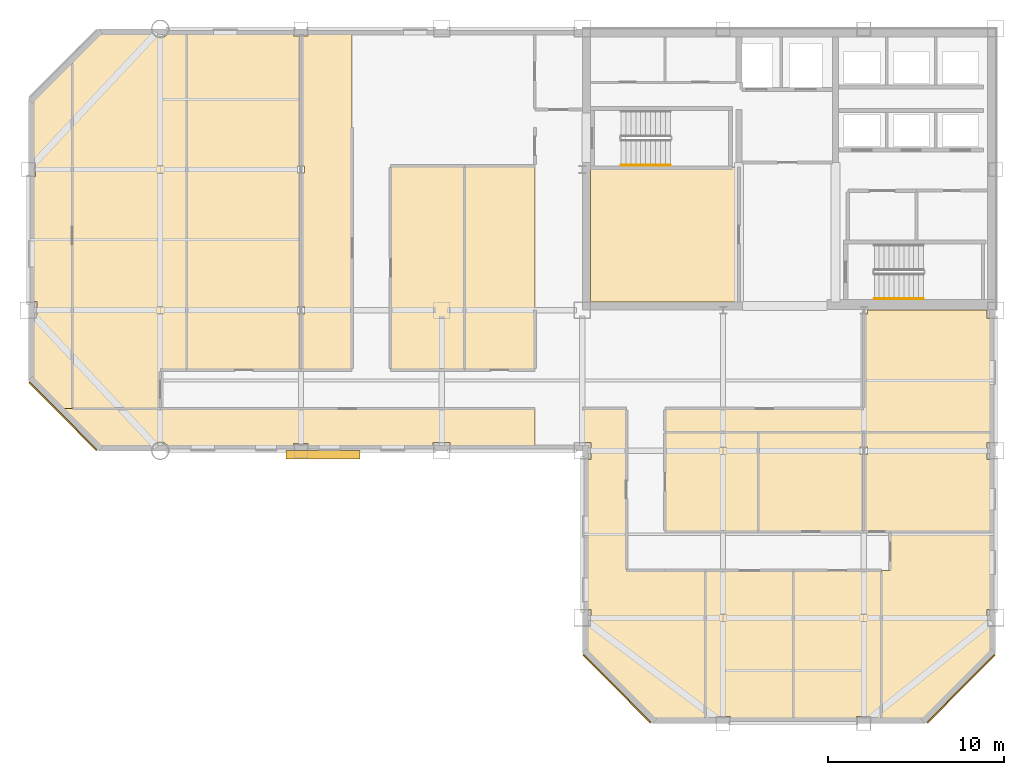
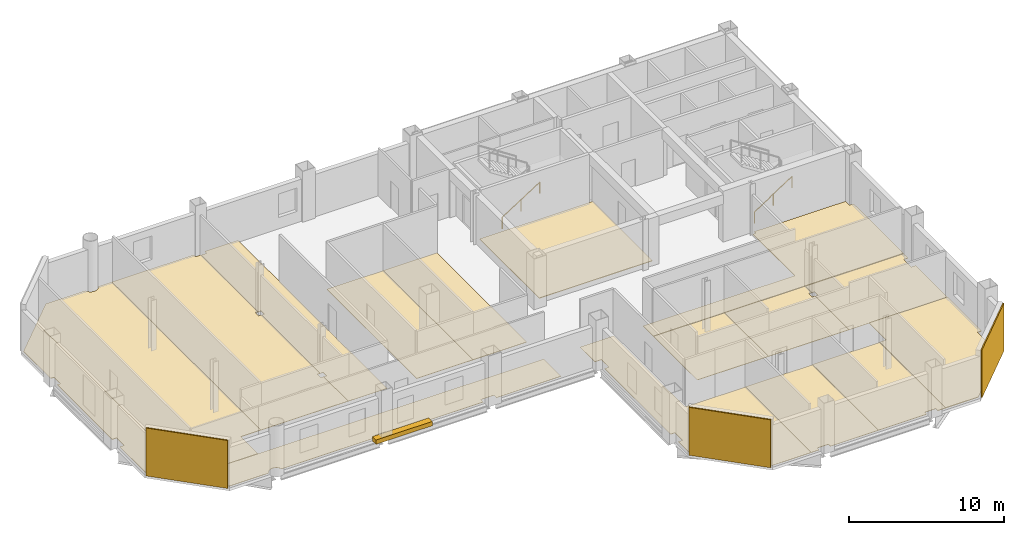
# One storey, part 8 of 11: 19 coverings, 2 railings, 1 shading device.
"""IFC4 building model written with IfcOpenShell, lengths in metres."""

from ifc_helpers import new_model, si_unit, direction, frame, origin, origin_2d, place, context, subcontext, project, spatial, polyline, rectangle, circle, outline, extrude, material, layer, layer_set, type_object, element, save


model = new_model("IFC4")

# Units and contexts
model_context = context("Model", 3, precision=1e-05, world=origin(), true_north=direction((0.0, 1.0)))
body_context = subcontext(model_context, "Body", "Model", "MODEL_VIEW")
ifc_project = project(units=[si_unit("LENGTHUNIT", "METRE"), si_unit("AREAUNIT", "SQUARE_METRE"), si_unit("VOLUMEUNIT", "CUBIC_METRE"), si_unit("PLANEANGLEUNIT", "RADIAN"), si_unit("MASSUNIT", "GRAM", prefix="KILO")], contexts=[model_context])

# Site, building, storey
site_placement = place(None, origin())
site = spatial("IfcSite", under=ifc_project, at=site_placement, CompositionType="ELEMENT")
building_placement = place(site_placement, origin())
building = spatial("IfcBuilding", under=site, at=building_placement, Name="Qianrong Seaharbour Tower", CompositionType="ELEMENT")
storey_placement = place(building_placement, frame((0.0, 0.0, 265.800048828125)))
storey = spatial("IfcBuildingStorey", under=building, at=storey_placement, Name="L64", CompositionType="ELEMENT", Elevation=265.800048828125)

# Coverings
ifc_material_1 = material(Name="Unitised red brick cladding on Precast concrete C45/55", Category="masonry")
ifc_layer_1 = layer(ifc_material_1, 0.080078125)
ifc_layer_set_1 = layer_set([ifc_layer_1], Name="Unitised red brick cladding on Precast concrete C45/55")
covering_type_1 = type_object("IfcCoveringType", Name="COV-CLAD-RED-BRICK-80", PredefinedType="CLADDING", material=ifc_layer_set_1)
for number, where, z_axis, x_axis, name in (
    (1, (10.9716796875, 29.9716796875, 0.0), (0.0, 0.0, 1.0), (-0.707106781187, 0.707106781187, 0.0), "L64 Chamfer Corner Brick Cladding 02"),
    (2, (62.0283203125, 14.4716796875, 0.0), (0.0, 0.0, 1.0), (-0.707106781187, -0.707106781187, 0.0), "L64 Chamfer Corner Brick Cladding 07"),
    (3, (42.4716796875, 14.4716796875, 0.0), (0.0, 0.0, 1.0), (-0.707106781187, 0.707106781187, 0.0), "L64 Chamfer Corner Brick Cladding 09"),
):
    element("IfcCovering", number, at=place(storey_placement, frame(where, z_axis=z_axis, x_axis=x_axis)), inside=storey, type_object=covering_type_1, Name=name, PredefinedType="CLADDING", context=body_context, shape_type="SweptSolid", body=[
        extrude(rectangle(XDim=5.456787109375, YDim=0.080078125, at=origin_2d()), origin(), (0.0, 0.0, 1.0), 3.77490234375),
    ])
ifc_material_2 = material(Name="Acoustic modular carpet tile flooring")
ifc_layer_2 = layer(ifc_material_2, 0.02001953125)
ifc_layer_set_2 = layer_set([ifc_layer_2], Name="Acoustic modular carpet tile flooring")
covering_type_2 = type_object("IfcCoveringType", Name="COV-FLOOR-CARPET-20", PredefinedType="FLOORING", material=ifc_layer_set_2)
covering_1_placement = place(storey_placement, origin())
element("IfcCovering", 4, at=covering_1_placement, inside=storey, type_object=covering_type_2, Name="L64 Trade Meeting Room 3 Finish Flooring", PredefinedType="FLOORING", context=body_context, shape_type="SweptSolid", body=[
    extrude(outline(polyline([(63.8349609375, 29.070068359375), (63.8349609375, 28.485107421875), (63.514892578125, 28.485107421875), (63.514892578125, 27.514892578125), (63.8349609375, 27.514892578125), (63.8349609375, 23.39990234375), (56.5, 23.39990234375), (56.5, 27.7900390625), (56.7099609375, 27.7900390625), (56.7099609375, 28.2099609375), (56.5, 28.2099609375), (56.5, 29.070068359375), (63.8349609375, 29.070068359375)])), origin(), (0.0, 0.0, 1.0), 0.02001953125),
])
covering_2_placement = place(storey_placement, origin())
element("IfcCovering", 5, at=covering_2_placement, inside=storey, type_object=covering_type_2, Name="L64 Contract Meeting Room 4 Finish Flooring", PredefinedType="FLOORING", context=body_context, shape_type="SweptSolid", body=[
    extrude(outline(polyline([(27.39990234375, 51.8349609375), (27.39990234375, 32.60009765625), (24.5, 32.60009765625), (24.5, 35.7900390625), (24.7099609375, 35.7900390625), (24.7099609375, 36.2099609375), (24.5, 36.2099609375), (24.5, 43.7900390625), (24.7099609375, 43.7900390625), (24.7099609375, 44.2099609375), (24.5, 44.2099609375), (24.5, 51.590087890625), (24.909912109375, 51.590087890625), (24.909912109375, 51.8349609375), (27.39990234375, 51.8349609375)])), origin(), (0.0, 0.0, 1.0), 0.02001953125),
])
covering_3_placement = place(storey_placement, origin())
element("IfcCovering", 6, at=covering_3_placement, inside=storey, type_object=covering_type_2, Name="L64 Wet Pantry 1 Finish Flooring", PredefinedType="FLOORING", context=body_context, shape_type="SweptSolid", body=[
    extrude(outline(polyline([(32.985107421875, 28.1650390625), (32.985107421875, 28.485107421875), (32.014892578125, 28.485107421875), (32.014892578125, 28.1650390625), (24.909912109375, 28.1650390625), (24.909912109375, 28.409912109375), (24.090087890625, 28.409912109375), (24.090087890625, 28.1650390625), (16.980224609375, 28.1650390625), (16.97119140625, 28.1953125), (16.924072265625, 28.283203125), (16.860595703125, 28.360595703125), (16.783203125, 28.424072265625), (16.6953125, 28.47119140625), (16.599609375, 28.500244140625), (16.5, 28.510009765625), (16.400390625, 28.500244140625), (16.3046875, 28.47119140625), (16.216796875, 28.424072265625), (16.139404296875, 28.360595703125), (16.075927734375, 28.283203125), (16.02880859375, 28.1953125), (16.019775390625, 28.1650390625), (13.068359375, 28.1650390625), (10.833251953125, 30.39990234375), (37.800048828125, 30.39990234375), (37.800048828125, 28.1650390625), (32.985107421875, 28.1650390625)])), origin(), (0.0, 0.0, 1.0), 0.02001953125),
])
covering_4_placement = place(storey_placement, origin())
element("IfcCovering", 7, at=covering_4_placement, inside=storey, type_object=covering_type_2, Name="L64 Harbour Trade Lounge 1 Finish Flooring", PredefinedType="FLOORING", context=body_context, shape_type="SweptSolid", body=[
    extrude(outline(polyline([(43.0, 21.199951171875), (47.5, 21.199951171875), (47.5, 12.6650390625), (44.568359375, 12.6650390625), (40.6650390625, 16.568359375), (40.6650390625, 18.014892578125), (40.985107421875, 18.014892578125), (40.985107421875, 18.985107421875), (40.6650390625, 18.985107421875), (40.6650390625, 27.514892578125), (40.985107421875, 27.514892578125), (40.985107421875, 28.485107421875), (40.5, 28.485107421875), (40.5, 30.39990234375), (43.0, 30.39990234375), (43.0, 21.199951171875)])), origin(), (0.0, 0.0, 1.0), 0.02001953125),
])
covering_5_placement = place(storey_placement, origin())
element("IfcCovering", 8, at=covering_5_placement, inside=storey, type_object=covering_type_2, Name="L64 Contract Signing Room 2 Finish Flooring", PredefinedType="FLOORING", context=body_context, shape_type="SweptSolid", body=[
    extrude(outline(polyline([(48.909912109375, 12.6650390625), (48.909912109375, 12.909912109375), (48.090087890625, 12.909912109375), (48.090087890625, 12.6650390625), (47.5, 12.6650390625), (47.5, 21.199951171875), (52.5, 21.199951171875), (52.5, 12.6650390625), (48.909912109375, 12.6650390625)])), origin(), (0.0, 0.0, 1.0), 0.02001953125),
])
ifc_material_3 = material(Name="Honed granite stone flooring", Category="masonry")
ifc_layer_3 = layer(ifc_material_3, 0.030029296875)
ifc_layer_set_3 = layer_set([ifc_layer_3], Name="Honed granite stone flooring")
covering_type_3 = type_object("IfcCoveringType", Name="COV-FLOOR-GRANITE-30", PredefinedType="FLOORING", material=ifc_layer_set_3)
covering_6_placement = place(storey_placement, origin())
element("IfcCovering", 9, at=covering_6_placement, inside=storey, type_object=covering_type_3, Name="L64 Chartering Model Showroom 1 Finish Flooring", PredefinedType="FLOORING", context=body_context, shape_type="SweptSolid", body=[
    extrude(outline(polyline([(50.5, 29.070068359375), (50.5, 23.39990234375), (45.199951171875, 23.39990234375), (45.199951171875, 29.070068359375), (50.5, 29.070068359375)])), origin(), (0.0, 0.0, 1.0), 0.030029296875),
])
covering_7_placement = place(storey_placement, origin())
element("IfcCovering", 10, at=covering_7_placement, inside=storey, type_object=covering_type_3, Name="L64 Port Equipment Showroom 2 Finish Flooring", PredefinedType="FLOORING", context=body_context, shape_type="SweptSolid", body=[
    extrude(outline(polyline([(56.5, 29.070068359375), (56.5, 28.2099609375), (56.2900390625, 28.2099609375), (56.2900390625, 27.7900390625), (56.5, 27.7900390625), (56.5, 23.39990234375), (50.5, 23.39990234375), (50.5, 29.070068359375), (56.5, 29.070068359375)])), origin(), (0.0, 0.0, 1.0), 0.030029296875),
])
covering_8_placement = place(storey_placement, origin())
element("IfcCovering", 11, at=covering_8_placement, inside=storey, type_object=covering_type_3, Name="L64 Vessel Model Showroom 1 Finish Flooring", PredefinedType="FLOORING", context=body_context, shape_type="SweptSolid", body=[
    extrude(outline(polyline([(9.1650390625, 32.068359375), (9.1650390625, 35.514892578125), (9.485107421875, 35.514892578125), (9.485107421875, 36.485107421875), (9.1650390625, 36.485107421875), (9.1650390625, 43.590087890625), (9.409912109375, 43.590087890625), (9.409912109375, 44.409912109375), (9.1650390625, 44.409912109375), (9.1650390625, 47.931640625), (11.5, 50.2666015625), (11.5, 30.39990234375), (10.833251953125, 30.39990234375), (9.1650390625, 32.068359375)])), origin(), (0.0, 0.0, 1.0), 0.030029296875),
])
covering_9_placement = place(storey_placement, origin())
element("IfcCovering", 12, at=covering_9_placement, inside=storey, type_object=covering_type_3, Name="L64 Navigation Systems Showroom 2 Finish Flooring", PredefinedType="FLOORING", context=body_context, shape_type="SweptSolid", body=[
    extrude(outline(polyline([(11.5, 50.2666015625), (13.068359375, 51.8349609375), (16.019775390625, 51.8349609375), (16.02880859375, 51.8046875), (16.075927734375, 51.716796875), (16.139404296875, 51.639404296875), (16.216796875, 51.575927734375), (16.3046875, 51.52880859375), (16.400390625, 51.499755859375), (16.5, 51.489990234375), (16.599609375, 51.499755859375), (16.6953125, 51.52880859375), (16.783203125, 51.575927734375), (16.860595703125, 51.639404296875), (16.924072265625, 51.716796875), (16.97119140625, 51.8046875), (16.980224609375, 51.8349609375), (18.0, 51.8349609375), (18.0, 32.60009765625), (16.5, 32.60009765625), (16.5, 30.39990234375), (11.5, 30.39990234375), (11.5, 50.2666015625)])), origin(), (0.0, 0.0, 1.0), 0.030029296875),
])
covering_10_placement = place(storey_placement, origin())
element("IfcCovering", 13, at=covering_10_placement, inside=storey, type_object=covering_type_3, Name="L64 Marine Propulsion Showroom 3 Finish Flooring", PredefinedType="FLOORING", context=body_context, shape_type="SweptSolid", body=[
    extrude(outline(polyline([(24.090087890625, 51.8349609375), (24.090087890625, 51.590087890625), (24.5, 51.590087890625), (24.5, 44.2099609375), (24.2900390625, 44.2099609375), (24.2900390625, 43.7900390625), (24.5, 43.7900390625), (24.5, 36.2099609375), (24.2900390625, 36.2099609375), (24.2900390625, 35.7900390625), (24.5, 35.7900390625), (24.5, 32.60009765625), (18.0, 32.60009765625), (18.0, 51.8349609375), (24.090087890625, 51.8349609375)])), origin(), (0.0, 0.0, 1.0), 0.030029296875),
])
covering_11_placement = place(storey_placement, origin())
element("IfcCovering", 14, at=covering_11_placement, inside=storey, type_object=covering_type_3, Name="L64 Cargo Systems Showroom 1 Finish Flooring", PredefinedType="FLOORING", context=body_context, shape_type="SweptSolid", body=[
    extrude(outline(polyline([(29.60009765625, 44.199951171875), (33.800048828125, 44.199951171875), (33.800048828125, 32.60009765625), (29.60009765625, 32.60009765625), (29.60009765625, 44.199951171875)])), origin(), (0.0, 0.0, 1.0), 0.030029296875),
])
covering_12_placement = place(storey_placement, origin())
element("IfcCovering", 15, at=covering_12_placement, inside=storey, type_object=covering_type_3, Name="L64 Fleet Logistics Showroom 2 Finish Flooring", PredefinedType="FLOORING", context=body_context, shape_type="SweptSolid", body=[
    extrude(outline(polyline([(33.800048828125, 44.199951171875), (37.800048828125, 44.199951171875), (37.800048828125, 32.60009765625), (33.800048828125, 32.60009765625), (33.800048828125, 44.199951171875)])), origin(), (0.0, 0.0, 1.0), 0.030029296875),
])
covering_13_placement = place(storey_placement, origin())
element("IfcCovering", 16, at=covering_13_placement, inside=storey, type_object=covering_type_3, Name="L64 Marine Showcase Showroom 3 Finish Flooring", PredefinedType="FLOORING", context=body_context, shape_type="SweptSolid", body=[
    extrude(outline(polyline([(56.909912109375, 12.6650390625), (56.909912109375, 12.909912109375), (56.090087890625, 12.909912109375), (56.090087890625, 12.6650390625), (52.5, 12.6650390625), (52.5, 21.199951171875), (57.5, 21.199951171875), (57.5, 12.6650390625), (56.909912109375, 12.6650390625)])), origin(), (0.0, 0.0, 1.0), 0.030029296875),
])
ifc_material_4 = material(Name="Calcium-sulphate raised access floor tile")
ifc_layer_4 = layer(ifc_material_4, 0.044921875)
ifc_layer_set_4 = layer_set([ifc_layer_4], Name="Calcium-sulphate raised access floor tile")
covering_type_4 = type_object("IfcCoveringType", Name="COV-FLOOR-RAISED-45", PredefinedType="FLOORING", material=ifc_layer_set_4)
covering_14_placement = place(storey_placement, origin())
element("IfcCovering", 17, at=covering_14_placement, inside=storey, type_object=covering_type_4, Name="L64 Data Systems Office Finish Flooring", PredefinedType="FLOORING", context=body_context, shape_type="SweptSolid", body=[
    extrude(outline(polyline([(49.39990234375, 44.14990234375), (49.39990234375, 36.4599609375), (40.985107421875, 36.4599609375), (40.985107421875, 36.485107421875), (40.9599609375, 36.485107421875), (40.9599609375, 44.14990234375), (49.39990234375, 44.14990234375)])), origin(), (0.0, 0.0, 1.0), 0.044921875),
])
covering_15_placement = place(storey_placement, origin())
element("IfcCovering", 18, at=covering_15_placement, inside=storey, type_object=covering_type_4, Name="L64 Commercial Desk Open-Plan Office Finish Flooring", PredefinedType="FLOORING", context=body_context, shape_type="SweptSolid", body=[
    extrude(outline(polyline([(56.5, 30.39990234375), (56.5, 35.7900390625), (56.7099609375, 35.7900390625), (56.7099609375, 36.0), (63.514892578125, 36.0), (63.514892578125, 35.514892578125), (63.8349609375, 35.514892578125), (63.8349609375, 29.070068359375), (45.199951171875, 29.070068359375), (45.199951171875, 30.39990234375), (56.5, 30.39990234375)])), origin(), (0.0, 0.0, 1.0), 0.044921875),
])
covering_16_placement = place(storey_placement, origin())
element("IfcCovering", 19, at=covering_16_placement, inside=storey, type_object=covering_type_4, Name="L64 Brokerage Office 4 Finish Flooring", PredefinedType="FLOORING", context=body_context, shape_type="SweptSolid", body=[
    extrude(outline(polyline([(59.931640625, 12.6650390625), (57.5, 12.6650390625), (57.5, 21.199951171875), (58.0, 21.199951171875), (58.0, 23.39990234375), (63.8349609375, 23.39990234375), (63.8349609375, 18.985107421875), (63.514892578125, 18.985107421875), (63.514892578125, 18.014892578125), (63.8349609375, 18.014892578125), (63.8349609375, 16.568359375), (59.931640625, 12.6650390625)])), origin(), (0.0, 0.0, 1.0), 0.044921875),
])

# Railings
ifc_material_5 = material(Name="Stainless steel SUS316L continuous handrail", Category="steel")
railing_type = type_object("IfcRailingType", Name="RAIL-STAIR-HANDRAIL-900", PredefinedType="HANDRAIL", material=ifc_material_5)
railing_1_placement = place(storey_placement, frame((42.699951171875, 44.25, 0.181884765625)))
element("IfcRailing", 20, at=railing_1_placement, inside=storey, type_object=railing_type, Name="L64 ST-1 stair handrail 1", PredefinedType="HANDRAIL", context=body_context, shape_type="SweptSolid", body=[
    extrude(circle(Radius=0.02392578125, at=origin_2d()), frame((0.0, 0.0, 0.8759765625), z_axis=(0.838705829183, 0.0, 0.544584733623), x_axis=(0.0, 1.0, 0.0)), (0.0, 0.0, 1.0), 3.338623046875),
    extrude(circle(Radius=0.02099609375, at=origin_2d()), origin(), (0.0, 0.0, 1.0), 0.851806640625),
    extrude(circle(Radius=0.02099609375, at=origin_2d()), frame((1.39990234375, 0.0, 0.9091796875)), (0.0, 0.0, 1.0), 0.851806640625),
    extrude(circle(Radius=0.02099609375, at=origin_2d()), frame((2.800048828125, 0.0, 1.818115234375)), (0.0, 0.0, 1.0), 0.851806640625),
])
railing_2_placement = place(storey_placement, frame((57.10009765625, 36.64990234375, 0.181884765625)))
element("IfcRailing", 21, at=railing_2_placement, inside=storey, type_object=railing_type, Name="L64 ST-2 stair handrail 1", PredefinedType="HANDRAIL", context=body_context, shape_type="SweptSolid", body=[
    extrude(circle(Radius=0.02392578125, at=origin_2d()), frame((0.0, 0.0, 0.8759765625), z_axis=(0.83868413941, 0.0, 0.544618136222), x_axis=(0.0, 1.0, 0.0)), (0.0, 0.0, 1.0), 3.33837890625),
    extrude(circle(Radius=0.02099609375, at=origin_2d()), origin(), (0.0, 0.0, 1.0), 0.851806640625),
    extrude(circle(Radius=0.02099609375, at=origin_2d()), frame((1.39990234375, 0.0, 0.9091796875)), (0.0, 0.0, 1.0), 0.851806640625),
    extrude(circle(Radius=0.02099609375, at=origin_2d()), frame((2.7998046875, 0.0, 1.818115234375)), (0.0, 0.0, 1.0), 0.851806640625),
])

# Shading device
ifc_material_6 = material(Name="White architectural precast concrete C45/55", Category="concrete")
shading_device_type = type_object("IfcShadingDeviceType", Name="SHD-SUNSHADE-WHITE-320", PredefinedType="AWNING", material=ifc_material_6)
shading_device_placement = place(storey_placement, frame((25.75, 27.780029296875, -0.02001953125), z_axis=(0.0, 0.0, 1.0), x_axis=(1.0, 0.0, 0.0)))
element("IfcShadingDevice", 22, at=shading_device_placement, inside=storey, type_object=shading_device_type, Name="L64 Climbing White Precast Ribbon Canopy Fin", PredefinedType="AWNING", context=body_context, shape_type="SweptSolid", body=[
    extrude(rectangle(XDim=4.199951171875, YDim=0.4599609375, at=origin_2d()), origin(), (0.0, 0.0, 1.0), 0.340087890625),
])

save(model, "model.ifc")
